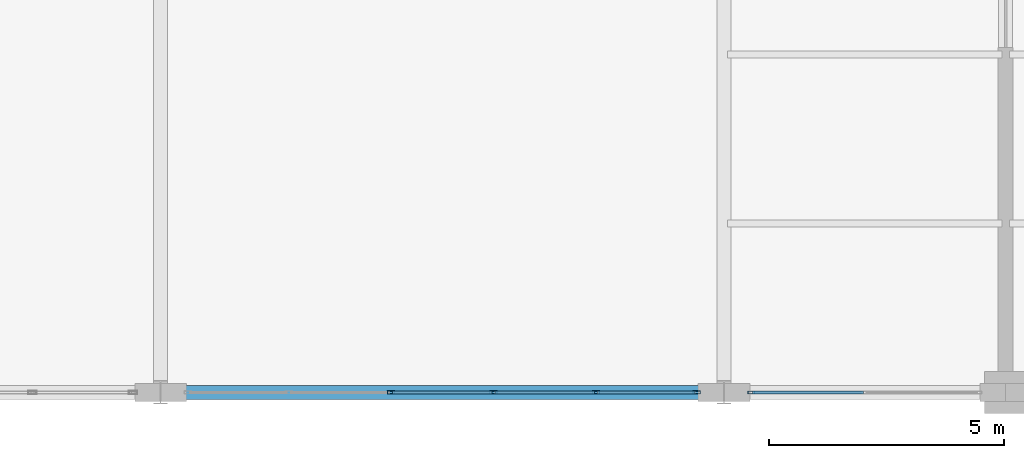
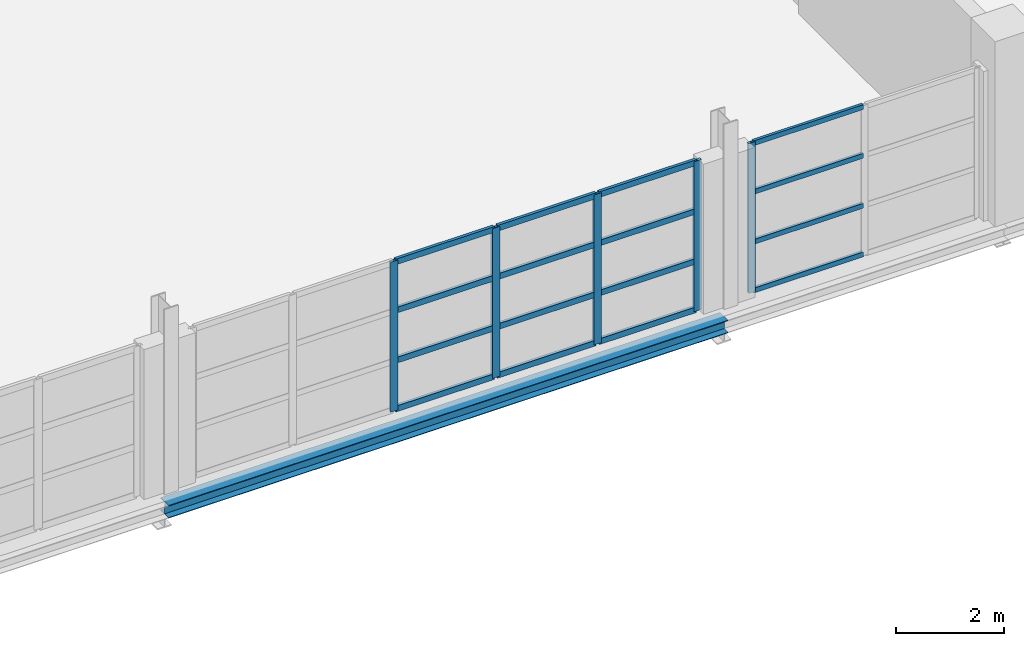
# One storey, part 39 of 158: 21 members, 1 beam, 2 elements without a shape of their own.
"""IFC4 building model written with IfcOpenShell, lengths in metres."""

import ifcopenshell
import ifcopenshell.guid

model = None  # the IFC model being written
_history = None  # IfcOwnerHistory: only IFC2X3 demands one
_inside = {}  # id of a spatial element -> (the spatial element, [elements in it])
_under = {}  # id of a project, library or spatial element -> (it, [spatial elements below it])
_declared = {}  # id of a project -> (the project, [libraries it declares])
_typed = {}  # id of a type object -> (the type object, [elements of that type])
_made_of = {}  # id of a material, layer set ... -> (it, [elements and type objects made of it])


def new_model(schema):
    """Start an empty IFC model of exactly this schema.

    Asked for "IFC4X3", IfcOpenShell would pick the latest addendum, in which some entities
    have other attributes; the version numbers below select the first issue.
    IFC2X3 requires an IfcOwnerHistory on every rooted entity: one is made here for all.
    """
    global model, _history
    if schema == "IFC4X3":
        model = ifcopenshell.file(schema_version=(4, 3, 0, 0))
    else:
        model = ifcopenshell.file(schema=schema)
    _inside.clear()
    _under.clear()
    _declared.clear()
    _typed.clear()
    _made_of.clear()
    _history = None
    if model.schema == "IFC2X3":
        org = make("IfcOrganization", Name="unknown")
        user = make(
            "IfcPersonAndOrganization",
            ThePerson=make("IfcPerson", FamilyName="unknown"),
            TheOrganization=org,
        )
        app = make(
            "IfcApplication",
            ApplicationDeveloper=org,
            Version="unknown",
            ApplicationFullName="unknown",
            ApplicationIdentifier="unknown",
        )
        _history = make(
            "IfcOwnerHistory",
            OwningUser=user,
            OwningApplication=app,
            ChangeAction="ADDED",
            CreationDate=0,
        )
    return model


def make(cls, **values):
    """One entity of the class cls with the attributes given. An attribute that is None is left unset."""
    return model.create_entity(
        cls, **{name: value for name, value in values.items() if value is not None}
    )


def rooted(cls, **values):
    """An entity with a GlobalId (a new one), such as an element, a storey or a relation."""
    return make(cls, GlobalId=ifcopenshell.guid.new(), OwnerHistory=_history, **values)


def si_unit(unit_type, name, prefix=None):
    """IfcSIUnit, for example si_unit("LENGTHUNIT", "METRE", prefix="MILLI")."""
    return make("IfcSIUnit", UnitType=unit_type, Prefix=prefix, Name=name)


def assignment(units):
    """IfcUnitAssignment: the units of a project."""
    return None if units is None else make("IfcUnitAssignment", Units=units)


def point(xyz):
    """IfcCartesianPoint."""
    return None if xyz is None else make("IfcCartesianPoint", Coordinates=xyz)


def direction(xyz):
    """IfcDirection."""
    return None if xyz is None else make("IfcDirection", DirectionRatios=xyz)


def frame(location, z_axis=None, x_axis=None):
    """IfcAxis2Placement3D, a coordinate frame: its origin and axes. An axis left out is left unset."""
    return make(
        "IfcAxis2Placement3D",
        Location=point(location),
        Axis=direction(z_axis),
        RefDirection=direction(x_axis),
    )


def frame_2d(location, x_axis=None):
    """IfcAxis2Placement2D, a coordinate frame in the plane: its origin and x axis."""
    return make(
        "IfcAxis2Placement2D", Location=point(location), RefDirection=direction(x_axis)
    )


def origin():
    """The frame at (0, 0, 0) with its axes left unset."""
    return frame((0.0, 0.0, 0.0))


def origin_2d():
    """The frame at (0, 0) in the plane with its x axis left unset."""
    return frame_2d((0.0, 0.0))


def place(relative_to, where):
    """IfcLocalPlacement: puts the frame where relative to a parent placement (None: the world)."""
    return make(
        "IfcLocalPlacement", PlacementRelTo=relative_to, RelativePlacement=where
    )


def context(
    kind, dimensions, precision=None, world=None, true_north=None, identifier=None
):
    """IfcGeometricRepresentationContext, for example the 3D "Model" context."""
    return make(
        "IfcGeometricRepresentationContext",
        ContextIdentifier=identifier,
        ContextType=kind,
        CoordinateSpaceDimension=dimensions,
        Precision=precision,
        WorldCoordinateSystem=world,
        TrueNorth=true_north,
    )


def subcontext(parent, identifier, kind, view, scale=None):
    """IfcGeometricRepresentationSubContext, for example "Body" below "Model"."""
    return make(
        "IfcGeometricRepresentationSubContext",
        ContextIdentifier=identifier,
        ContextType=kind,
        ParentContext=parent,
        TargetScale=scale,
        TargetView=view,
    )


def project(units=None, contexts=None):
    """IfcProject with its units and contexts."""
    return rooted(
        "IfcProject",
        Name="project",
        RepresentationContexts=contexts,
        UnitsInContext=assignment(units),
    )


def spatial(cls, under=None, at=None, **own):
    """A site, building, storey or space (cls), placed at a placement, below another one or the project."""
    s = rooted(cls, ObjectPlacement=at, **own)
    if under is not None:
        _under.setdefault(under.id(), (under, []))[1].append(s)
    return s


def profile(cls, at=None, kind="AREA", **sizes):
    """A parametric profile (cls). Its sizes go by their IFC names, for example OverallWidth=200.0."""
    return make(cls, ProfileType=kind, Position=at, **sizes)


def hollow_rectangle(**sizes):
    """IfcRectangleHollowProfileDef."""
    return profile("IfcRectangleHollowProfileDef", **sizes)


def i_section(**sizes):
    """IfcIShapeProfileDef."""
    return profile("IfcIShapeProfileDef", **sizes)


def extrude(swept, where, along, depth):
    """IfcExtrudedAreaSolid: the profile swept, set in the frame where, extruded along a direction by depth."""
    return make(
        "IfcExtrudedAreaSolid",
        SweptArea=swept,
        Position=where,
        ExtrudedDirection=direction(along),
        Depth=depth,
    )


def shape(context_of_items, identifier, shape_type, items):
    """IfcShapeRepresentation: the items that make up one representation, for example the "Body"."""
    return make(
        "IfcShapeRepresentation",
        ContextOfItems=context_of_items,
        RepresentationIdentifier=identifier,
        RepresentationType=shape_type,
        Items=items,
    )


def material(Name=None, Category=None):
    """IfcMaterial."""
    return make("IfcMaterial", Name=Name, Category=Category)


def layer(
    of_material, thickness, ventilated=None, Name=None, Category=None, Priority=None
):
    """IfcMaterialLayer: one layer of a wall or slab, of a material (None: an air gap)."""
    return make(
        "IfcMaterialLayer",
        Material=of_material,
        LayerThickness=thickness,
        IsVentilated=ventilated,
        Name=Name,
        Category=Category,
        Priority=Priority,
    )


def layer_set(layers, Name=None):
    """IfcMaterialLayerSet."""
    return make("IfcMaterialLayerSet", MaterialLayers=layers, LayerSetName=Name)


def material_profile(
    of_material, cross_section, Name=None, Category=None, Priority=None
):
    """IfcMaterialProfile: a cross section and its material."""
    return make(
        "IfcMaterialProfile",
        Name=Name,
        Material=of_material,
        Profile=cross_section,
        Priority=Priority,
        Category=Category,
    )


def profile_set(profiles, Name=None, composite=None):
    """IfcMaterialProfileSet."""
    return make(
        "IfcMaterialProfileSet",
        Name=Name,
        MaterialProfiles=profiles,
        CompositeProfile=composite,
    )


def made_of(thing, what):
    """Note that an element or type object is made of a material, layer set ...; save() writes the relation."""
    if what is not None:
        _made_of.setdefault(what.id(), (what, []))[1].append(thing)
    return thing


def type_object(cls, material=None, **own):
    """A type object (cls), such as IfcWallType, which elements share."""
    return made_of(rooted(cls, **own), material)


def element(
    cls,
    number,
    at=None,
    inside=None,
    cuts=None,
    type_object=None,
    material=None,
    context=None,
    identifier="Body",
    shape_type=None,
    held_by="IfcProductDefinitionShape",
    body=None,
    shapes=None,
    **own,
):
    """One element of the class cls, such as IfcWall. Its Tag is "e" and its number.

    at: its placement. inside: the storey or other place that contains it. cuts: it is an
    opening in that element (IfcRelVoidsElement). A single representation is given by context,
    identifier, shape_type and body (its items); several are given by shapes. held_by: the class
    of the entity that holds the representations. save() writes the other relations.
    """
    e = rooted(cls, Tag="e%d" % number, ObjectPlacement=at, **own)
    if body is not None:
        shapes = [shape(context, identifier, shape_type, body)]
    if shapes is not None:
        e.Representation = make(held_by, Representations=shapes)
    if inside is not None:
        _inside.setdefault(inside.id(), (inside, []))[1].append(e)
    if cuts is not None:
        rooted(
            "IfcRelVoidsElement", RelatingBuildingElement=cuts, RelatedOpeningElement=e
        )
    if type_object is not None:
        _typed.setdefault(type_object.id(), (type_object, []))[1].append(e)
    return made_of(e, material)


def aggregate(whole, parts):
    """IfcRelAggregates: a whole, such as a stair, and the parts it consists of."""
    return rooted("IfcRelAggregates", RelatingObject=whole, RelatedObjects=parts)


def save(model, path):
    """Write the relations noted so far, then the file.

    IfcRelAggregates (storeys below a building ...), IfcRelContainedInSpatialStructure (elements
    in a storey), IfcRelDefinesByType, IfcRelAssociatesMaterial and IfcRelDeclares: one each for
    every whole, place, type object, material and project.
    """
    for whole, parts in _under.values():
        aggregate(whole, parts)
    for where, things in _inside.values():
        rooted(
            "IfcRelContainedInSpatialStructure",
            RelatedElements=things,
            RelatingStructure=where,
        )
    for kind, things in _typed.values():
        rooted("IfcRelDefinesByType", RelatedObjects=things, RelatingType=kind)
    for what, things in _made_of.values():
        rooted("IfcRelAssociatesMaterial", RelatedObjects=things, RelatingMaterial=what)
    for by, libraries in _declared.values():
        rooted("IfcRelDeclares", RelatingContext=by, RelatedDefinitions=libraries)
    model.write(path)


model = new_model("IFC4")

# Units and contexts
model_context = context("Model", 3, precision=1e-05, world=origin(), true_north=direction((0.0, 1.0)))
body_context = subcontext(model_context, "Body", "Model", "MODEL_VIEW")
ifc_project = project(units=[si_unit("LENGTHUNIT", "METRE"), si_unit("AREAUNIT", "SQUARE_METRE"), si_unit("VOLUMEUNIT", "CUBIC_METRE"), si_unit("PLANEANGLEUNIT", "RADIAN"), si_unit("MASSUNIT", "GRAM", prefix="KILO")], contexts=[model_context])

# Site, building, storey
site_placement = place(None, origin())
site = spatial("IfcSite", under=ifc_project, at=site_placement, CompositionType="ELEMENT")
building_placement = place(site_placement, origin())
building = spatial("IfcBuilding", under=site, at=building_placement, Name="Zilviju Railside Exhibition Hall", CompositionType="ELEMENT")
storey_placement = place(building_placement, frame((0.0, 0.0, 4.199951171875)))
storey = spatial("IfcBuildingStorey", under=building, at=storey_placement, Name="L02", CompositionType="ELEMENT", Elevation=4.199951171875)

# Beam
ifc_material_1 = material(Name="Steel S355J2", Category="steel")
ifc_material_profile_1 = material_profile(ifc_material_1, i_section(OverallWidth=0.300048828125, OverallDepth=0.2900390625, WebThickness=0.008544921875, FlangeThickness=0.013916015625, at=origin_2d()), Name="HEA 300")
ifc_profile_set_1 = profile_set([ifc_material_profile_1], Name="Steel S355J2")
beam_type = type_object("IfcBeamType", Name="BM-HEA300", PredefinedType="SPANDREL", material=ifc_profile_set_1)
beam_placement = place(storey_placement, frame((60.0, 0.0, -0.494873046875), z_axis=(1.0, 0.0, 0.0), x_axis=(0.0, 1.0, 0.0)))
element("IfcBeam", 1, at=beam_placement, inside=storey, type_object=beam_type, Name="Primary Girder L02 Y=0.0 (60.0..72.0)", PredefinedType="SPANDREL", context=body_context, shape_type="SweptSolid", body=[
    extrude(i_section(OverallWidth=0.300048828125, OverallDepth=0.2900390625, WebThickness=0.008544921875, FlangeThickness=0.013916015625, at=origin_2d()), origin(), (0.0, 0.0, 1.0), 12.0),
])

# Curtain wall, member
ifc_material_2 = material(Name="Thermally broken aluminium-steel triple-glazed curtain wall", Category="steel")
ifc_layer_1 = layer(ifc_material_2, 0.179931640625)
ifc_layer_set_1 = layer_set([ifc_layer_1], Name="Thermally broken aluminium-steel triple-glazed curtain wall")
curtain_wall_type_1 = type_object("IfcCurtainWallType", Name="CW-BAY-13", PredefinedType="USERDEFINED", material=ifc_layer_set_1)
curtain_wall_1_placement = place(storey_placement, origin())
curtain_wall_1 = element("IfcCurtainWall", 2, at=curtain_wall_1_placement, inside=storey, type_object=curtain_wall_type_1, Name="Winter Concourse South Upper Curtain Wall (72..78)", ObjectType="GLAZED CURTAIN WALL", PredefinedType="USERDEFINED")
ifc_material_3 = material(Name="Thermally broken anodized aluminium mullion", Category="aluminium")
ifc_material_profile_2 = material_profile(ifc_material_3, hollow_rectangle(XDim=0.06005859375, YDim=0.139892578125, WallThickness=0.0048828125, at=origin_2d()), Name="MULLION 140x60x5")
ifc_profile_set_2 = profile_set([ifc_material_profile_2], Name="Thermally broken anodized aluminium mullion")
member_type_1 = type_object("IfcMemberType", Name="CWM-60x140", PredefinedType="MULLION", material=ifc_profile_set_2)
member_1_placement = place(storey_placement, frame((72.580078125, 0.0, 0.0), z_axis=(0.0, 0.0, 1.0), x_axis=(0.0, -1.0, 0.0)))
member_1 = element("IfcMember", 3, at=member_1_placement, type_object=member_type_1, Name="CW-13 mullion 3", PredefinedType="MULLION", context=body_context, shape_type="SweptSolid", body=[
    extrude(hollow_rectangle(XDim=0.06005859375, YDim=0.139892578125, WallThickness=0.0048828125, at=origin_2d()), origin(), (0.0, 0.0, 1.0), 3.400146484375),
])

# Curtain wall, members
ifc_layer_2 = layer(ifc_material_2, 0.179931640625)
ifc_layer_set_2 = layer_set([ifc_layer_2], Name="Thermally broken aluminium-steel triple-glazed curtain wall")
curtain_wall_type_2 = type_object("IfcCurtainWallType", Name="CW-BAY-12", PredefinedType="USERDEFINED", material=ifc_layer_set_2)
curtain_wall_2_placement = place(storey_placement, origin())
curtain_wall_2 = element("IfcCurtainWall", 4, at=curtain_wall_2_placement, inside=storey, type_object=curtain_wall_type_2, Name="Winter Concourse South Upper Curtain Wall (60..72)", ObjectType="GLAZED CURTAIN WALL", PredefinedType="USERDEFINED")
ifc_material_profile_3 = material_profile(ifc_material_3, hollow_rectangle(XDim=0.06494140625, YDim=0.159912109375, WallThickness=0.0048828125, at=origin_2d()), Name="MULLION 160x65x5")
ifc_profile_set_3 = profile_set([ifc_material_profile_3], Name="Thermally broken anodized aluminium mullion")
member_type_2 = type_object("IfcMemberType", Name="CWM-65x160", PredefinedType="MULLION", material=ifc_profile_set_3)
member_2_placement = place(storey_placement, frame((71.41748046875, 0.0, 0.0), z_axis=(0.0, 0.0, 1.0), x_axis=(0.0, -1.0, 0.0)))
member_2 = element("IfcMember", 5, at=member_2_placement, type_object=member_type_2, Name="CW-12 mullion 1", PredefinedType="MULLION", context=body_context, shape_type="SweptSolid", body=[
    extrude(hollow_rectangle(XDim=0.06494140625, YDim=0.159912109375, WallThickness=0.0048828125, at=origin_2d()), origin(), (0.0, 0.0, 1.0), 3.400146484375),
])
member_3_placement = place(storey_placement, frame((69.27001953125, 0.0, 0.0), z_axis=(0.0, 0.0, 1.0), x_axis=(0.0, -1.0, 0.0)))
member_3 = element("IfcMember", 6, at=member_3_placement, type_object=member_type_2, Name="CW-12 mullion 2", PredefinedType="MULLION", context=body_context, shape_type="SweptSolid", body=[
    extrude(hollow_rectangle(XDim=0.06494140625, YDim=0.159912109375, WallThickness=0.0048828125, at=origin_2d()), origin(), (0.0, 0.0, 1.0), 3.400146484375),
])
member_4_placement = place(storey_placement, frame((67.090087890625, 0.0, 0.0), z_axis=(0.0, 0.0, 1.0), x_axis=(0.0, -1.0, 0.0)))
member_4 = element("IfcMember", 7, at=member_4_placement, type_object=member_type_2, Name="CW-12 mullion 3", PredefinedType="MULLION", context=body_context, shape_type="SweptSolid", body=[
    extrude(hollow_rectangle(XDim=0.06494140625, YDim=0.159912109375, WallThickness=0.0048828125, at=origin_2d()), origin(), (0.0, 0.0, 1.0), 3.400146484375),
])
member_5_placement = place(storey_placement, frame((64.909912109375, 0.0, 0.0), z_axis=(0.0, 0.0, 1.0), x_axis=(0.0, -1.0, 0.0)))
member_5 = element("IfcMember", 8, at=member_5_placement, type_object=member_type_2, Name="CW-12 mullion 4", PredefinedType="MULLION", context=body_context, shape_type="SweptSolid", body=[
    extrude(hollow_rectangle(XDim=0.06494140625, YDim=0.159912109375, WallThickness=0.0048828125, at=origin_2d()), origin(), (0.0, 0.0, 1.0), 3.400146484375),
])

# Member
ifc_material_4 = material(Name="Thermally broken anodized aluminium transom", Category="aluminium")
ifc_material_profile_4 = material_profile(ifc_material_4, hollow_rectangle(XDim=0.06005859375, YDim=0.110107421875, WallThickness=0.0048828125, at=origin_2d()), Name="TRANSOM 110x60x5")
ifc_profile_set_4 = profile_set([ifc_material_profile_4], Name="Thermally broken anodized aluminium transom")
member_type_3 = type_object("IfcMemberType", Name="CWT-60x110", PredefinedType="USERDEFINED", material=ifc_profile_set_4)
member_6_placement = place(storey_placement, frame((74.969970703125, 0.0, 0.030029296875), z_axis=(-1.0, 0.0, 0.0), x_axis=(0.0, -1.0, 0.0)))
member_6 = element("IfcMember", 9, at=member_6_placement, type_object=member_type_3, Name="CW-13 transom 2.1", ObjectType="TRANSOM", PredefinedType="USERDEFINED", context=body_context, shape_type="SweptSolid", body=[
    extrude(hollow_rectangle(XDim=0.06005859375, YDim=0.110107421875, WallThickness=0.0048828125, at=origin_2d()), origin(), (0.0, 0.0, 1.0), 2.35986328125),
])

member_7_placement = place(storey_placement, frame((74.969970703125, 0.0, 1.133056640625), z_axis=(-1.0, 0.0, 0.0), x_axis=(0.0, -1.0, 0.0)))
member_7 = element("IfcMember", 10, at=member_7_placement, type_object=member_type_3, Name="CW-13 transom 2.2", ObjectType="TRANSOM", PredefinedType="USERDEFINED", context=body_context, shape_type="SweptSolid", body=[
    extrude(hollow_rectangle(XDim=0.06005859375, YDim=0.110107421875, WallThickness=0.0048828125, at=origin_2d()), origin(), (0.0, 0.0, 1.0), 2.35986328125),
])

member_8_placement = place(storey_placement, frame((74.969970703125, 0.0, 2.26708984375), z_axis=(-1.0, 0.0, 0.0), x_axis=(0.0, -1.0, 0.0)))
member_8 = element("IfcMember", 11, at=member_8_placement, type_object=member_type_3, Name="CW-13 transom 2.3", ObjectType="TRANSOM", PredefinedType="USERDEFINED", context=body_context, shape_type="SweptSolid", body=[
    extrude(hollow_rectangle(XDim=0.06005859375, YDim=0.110107421875, WallThickness=0.0048828125, at=origin_2d()), origin(), (0.0, 0.0, 1.0), 2.35986328125),
])

member_9_placement = place(storey_placement, frame((74.969970703125, 0.0, 3.3701171875), z_axis=(-1.0, 0.0, 0.0), x_axis=(0.0, -1.0, 0.0)))
member_9 = element("IfcMember", 12, at=member_9_placement, type_object=member_type_3, Name="CW-13 transom 2.4", ObjectType="TRANSOM", PredefinedType="USERDEFINED", context=body_context, shape_type="SweptSolid", body=[
    extrude(hollow_rectangle(XDim=0.06005859375, YDim=0.110107421875, WallThickness=0.0048828125, at=origin_2d()), origin(), (0.0, 0.0, 1.0), 2.35986328125),
])

aggregate(curtain_wall_1, [member_1, member_6, member_7, member_8, member_9])

ifc_material_profile_5 = material_profile(ifc_material_4, hollow_rectangle(XDim=0.06494140625, YDim=0.1298828125, WallThickness=0.0048828125, at=origin_2d()), Name="TRANSOM 130x65x5")
ifc_profile_set_5 = profile_set([ifc_material_profile_5], Name="Thermally broken anodized aluminium transom")
member_type_4 = type_object("IfcMemberType", Name="CWT-65x130", PredefinedType="USERDEFINED", material=ifc_profile_set_5)
member_10_placement = place(storey_placement, frame((71.385009765625, 0.0, 0.032470703125), z_axis=(-1.0, 0.0, 0.0), x_axis=(0.0, -1.0, 0.0)))
member_10 = element("IfcMember", 13, at=member_10_placement, type_object=member_type_4, Name="CW-12 transom 1.1", ObjectType="TRANSOM", PredefinedType="USERDEFINED", context=body_context, shape_type="SweptSolid", body=[
    extrude(hollow_rectangle(XDim=0.06494140625, YDim=0.1298828125, WallThickness=0.0048828125, at=origin_2d()), origin(), (0.0, 0.0, 1.0), 2.08251953125),
])

member_11_placement = place(storey_placement, frame((71.385009765625, 0.0, 1.133056640625), z_axis=(-1.0, 0.0, 0.0), x_axis=(0.0, -1.0, 0.0)))
member_11 = element("IfcMember", 14, at=member_11_placement, type_object=member_type_4, Name="CW-12 transom 1.2", ObjectType="TRANSOM", PredefinedType="USERDEFINED", context=body_context, shape_type="SweptSolid", body=[
    extrude(hollow_rectangle(XDim=0.06494140625, YDim=0.1298828125, WallThickness=0.0048828125, at=origin_2d()), origin(), (0.0, 0.0, 1.0), 2.08251953125),
])

member_12_placement = place(storey_placement, frame((71.385009765625, 0.0, 2.26708984375), z_axis=(-1.0, 0.0, 0.0), x_axis=(0.0, -1.0, 0.0)))
member_12 = element("IfcMember", 15, at=member_12_placement, type_object=member_type_4, Name="CW-12 transom 1.3", ObjectType="TRANSOM", PredefinedType="USERDEFINED", context=body_context, shape_type="SweptSolid", body=[
    extrude(hollow_rectangle(XDim=0.06494140625, YDim=0.1298828125, WallThickness=0.0048828125, at=origin_2d()), origin(), (0.0, 0.0, 1.0), 2.08251953125),
])

member_13_placement = place(storey_placement, frame((71.385009765625, 0.0, 3.367431640625), z_axis=(-1.0, 0.0, 0.0), x_axis=(0.0, -1.0, 0.0)))
member_13 = element("IfcMember", 16, at=member_13_placement, type_object=member_type_4, Name="CW-12 transom 1.4", ObjectType="TRANSOM", PredefinedType="USERDEFINED", context=body_context, shape_type="SweptSolid", body=[
    extrude(hollow_rectangle(XDim=0.06494140625, YDim=0.1298828125, WallThickness=0.0048828125, at=origin_2d()), origin(), (0.0, 0.0, 1.0), 2.08251953125),
])

member_14_placement = place(storey_placement, frame((69.237548828125, 0.0, 0.032470703125), z_axis=(-1.0, 0.0, 0.0), x_axis=(0.0, -1.0, 0.0)))
member_14 = element("IfcMember", 17, at=member_14_placement, type_object=member_type_4, Name="CW-12 transom 2.1", ObjectType="TRANSOM", PredefinedType="USERDEFINED", context=body_context, shape_type="SweptSolid", body=[
    extrude(hollow_rectangle(XDim=0.06494140625, YDim=0.1298828125, WallThickness=0.0048828125, at=origin_2d()), origin(), (0.0, 0.0, 1.0), 2.114990234375),
])

member_15_placement = place(storey_placement, frame((69.237548828125, 0.0, 1.133056640625), z_axis=(-1.0, 0.0, 0.0), x_axis=(0.0, -1.0, 0.0)))
member_15 = element("IfcMember", 18, at=member_15_placement, type_object=member_type_4, Name="CW-12 transom 2.2", ObjectType="TRANSOM", PredefinedType="USERDEFINED", context=body_context, shape_type="SweptSolid", body=[
    extrude(hollow_rectangle(XDim=0.06494140625, YDim=0.1298828125, WallThickness=0.0048828125, at=origin_2d()), origin(), (0.0, 0.0, 1.0), 2.114990234375),
])

member_16_placement = place(storey_placement, frame((69.237548828125, 0.0, 2.26708984375), z_axis=(-1.0, 0.0, 0.0), x_axis=(0.0, -1.0, 0.0)))
member_16 = element("IfcMember", 19, at=member_16_placement, type_object=member_type_4, Name="CW-12 transom 2.3", ObjectType="TRANSOM", PredefinedType="USERDEFINED", context=body_context, shape_type="SweptSolid", body=[
    extrude(hollow_rectangle(XDim=0.06494140625, YDim=0.1298828125, WallThickness=0.0048828125, at=origin_2d()), origin(), (0.0, 0.0, 1.0), 2.114990234375),
])

member_17_placement = place(storey_placement, frame((69.237548828125, 0.0, 3.367431640625), z_axis=(-1.0, 0.0, 0.0), x_axis=(0.0, -1.0, 0.0)))
member_17 = element("IfcMember", 20, at=member_17_placement, type_object=member_type_4, Name="CW-12 transom 2.4", ObjectType="TRANSOM", PredefinedType="USERDEFINED", context=body_context, shape_type="SweptSolid", body=[
    extrude(hollow_rectangle(XDim=0.06494140625, YDim=0.1298828125, WallThickness=0.0048828125, at=origin_2d()), origin(), (0.0, 0.0, 1.0), 2.114990234375),
])

member_18_placement = place(storey_placement, frame((67.0576171875, 0.0, 0.032470703125), z_axis=(-1.0, 0.0, 0.0), x_axis=(0.0, -1.0, 0.0)))
member_18 = element("IfcMember", 21, at=member_18_placement, type_object=member_type_4, Name="CW-12 transom 3.1", ObjectType="TRANSOM", PredefinedType="USERDEFINED", context=body_context, shape_type="SweptSolid", body=[
    extrude(hollow_rectangle(XDim=0.06494140625, YDim=0.1298828125, WallThickness=0.0048828125, at=origin_2d()), origin(), (0.0, 0.0, 1.0), 2.115234375),
])

member_19_placement = place(storey_placement, frame((67.0576171875, 0.0, 1.133056640625), z_axis=(-1.0, 0.0, 0.0), x_axis=(0.0, -1.0, 0.0)))
member_19 = element("IfcMember", 22, at=member_19_placement, type_object=member_type_4, Name="CW-12 transom 3.2", ObjectType="TRANSOM", PredefinedType="USERDEFINED", context=body_context, shape_type="SweptSolid", body=[
    extrude(hollow_rectangle(XDim=0.06494140625, YDim=0.1298828125, WallThickness=0.0048828125, at=origin_2d()), origin(), (0.0, 0.0, 1.0), 2.115234375),
])

member_20_placement = place(storey_placement, frame((67.0576171875, 0.0, 2.26708984375), z_axis=(-1.0, 0.0, 0.0), x_axis=(0.0, -1.0, 0.0)))
member_20 = element("IfcMember", 23, at=member_20_placement, type_object=member_type_4, Name="CW-12 transom 3.3", ObjectType="TRANSOM", PredefinedType="USERDEFINED", context=body_context, shape_type="SweptSolid", body=[
    extrude(hollow_rectangle(XDim=0.06494140625, YDim=0.1298828125, WallThickness=0.0048828125, at=origin_2d()), origin(), (0.0, 0.0, 1.0), 2.115234375),
])

member_21_placement = place(storey_placement, frame((67.0576171875, 0.0, 3.367431640625), z_axis=(-1.0, 0.0, 0.0), x_axis=(0.0, -1.0, 0.0)))
member_21 = element("IfcMember", 24, at=member_21_placement, type_object=member_type_4, Name="CW-12 transom 3.4", ObjectType="TRANSOM", PredefinedType="USERDEFINED", context=body_context, shape_type="SweptSolid", body=[
    extrude(hollow_rectangle(XDim=0.06494140625, YDim=0.1298828125, WallThickness=0.0048828125, at=origin_2d()), origin(), (0.0, 0.0, 1.0), 2.115234375),
])

aggregate(curtain_wall_2, [member_2, member_3, member_4, member_5, member_10, member_11, member_12, member_13, member_14, member_15, member_16, member_17, member_18, member_19, member_20, member_21])

save(model, "model.ifc")
